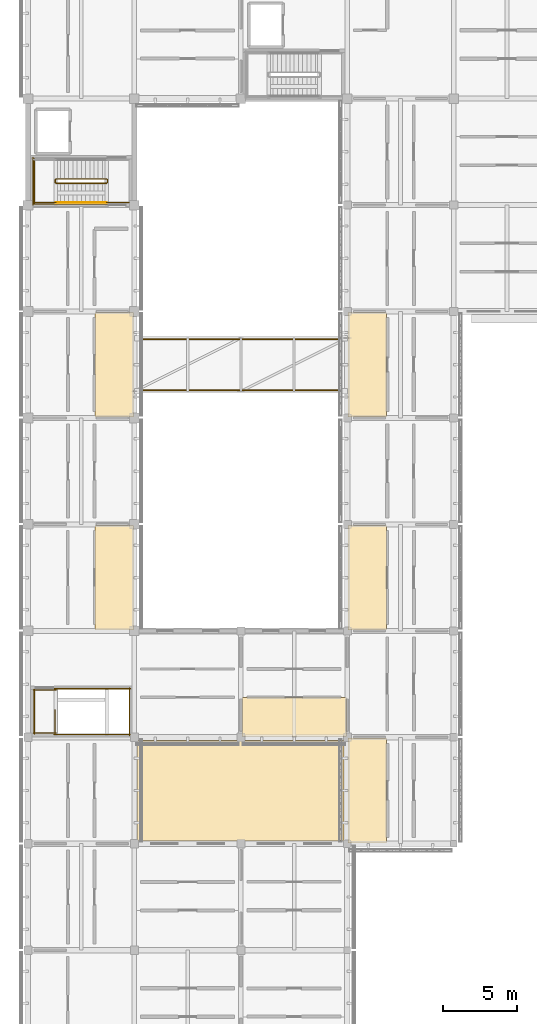
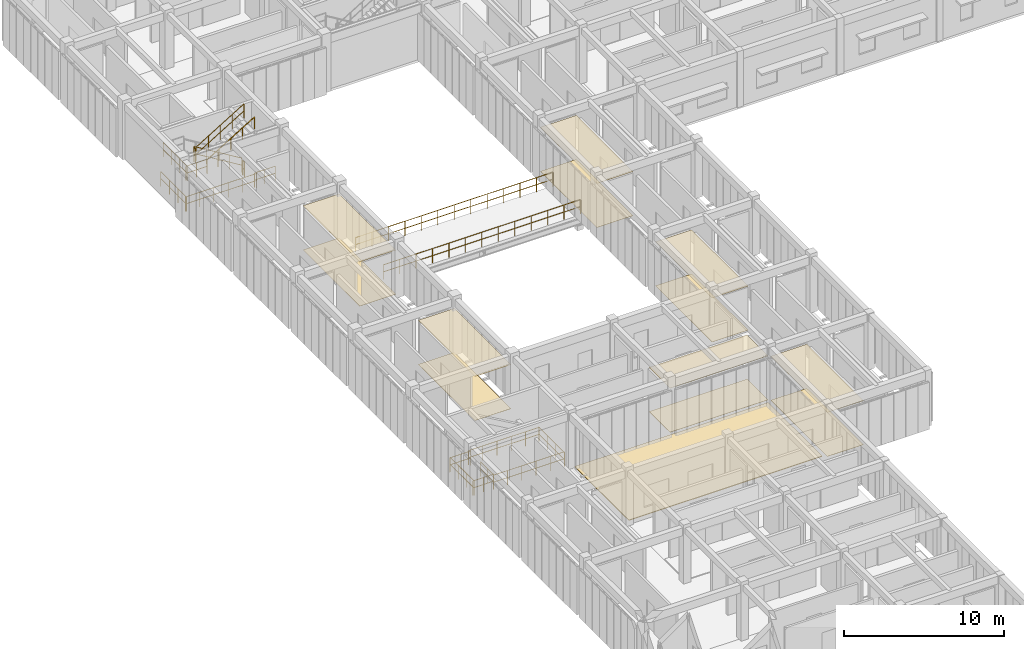
# One storey, part 87 of 91: 19 railings, 13 coverings.
"""IFC4 building model written with IfcOpenShell, lengths in metres."""

from ifc_helpers import new_model, si_unit, direction, frame, origin, origin_2d, place, context, subcontext, project, spatial, polyline, circle, outline, extrude, material, layer, layer_set, type_object, element, save


model = new_model("IFC4")

# Units and contexts
model_context = context("Model", 3, precision=1e-05, world=origin(), true_north=direction((0.0, 1.0)))
body_context = subcontext(model_context, "Body", "Model", "MODEL_VIEW")
ifc_project = project(units=[si_unit("LENGTHUNIT", "METRE"), si_unit("AREAUNIT", "SQUARE_METRE"), si_unit("VOLUMEUNIT", "CUBIC_METRE"), si_unit("PLANEANGLEUNIT", "RADIAN"), si_unit("MASSUNIT", "GRAM", prefix="KILO")], contexts=[model_context])

# Site, building, storey
site_placement = place(None, origin())
site = spatial("IfcSite", under=ifc_project, at=site_placement, CompositionType="ELEMENT")
building_placement = place(site_placement, origin())
building = spatial("IfcBuilding", under=site, at=building_placement, Name="Aldebral Square Health Centre", CompositionType="ELEMENT")
storey_placement = place(building_placement, frame((0.0, 0.0, 9.0)))
storey = spatial("IfcBuildingStorey", under=building, at=storey_placement, Name="L02", CompositionType="ELEMENT", Elevation=9.0)

# Coverings
ifc_material_1 = material(Name="Hygienic acoustic mineral ceiling tile")
ifc_layer_1 = layer(ifc_material_1, 0.02001953125, Name="Hygienic acoustic mineral ceiling tile")
ifc_layer_set_1 = layer_set([ifc_layer_1], Name="Hygienic acoustic mineral ceiling tile")
covering_type_1 = type_object("IfcCoveringType", Name="COV-CLG-AC", PredefinedType="CEILING", material=ifc_layer_set_1)
covering_1_placement = place(storey_placement, frame((0.0, 0.0, 3.360107421875)))
element("IfcCovering", 1, at=covering_1_placement, inside=storey, type_object=covering_type_1, Name="L02 General Consulting Room 1.10E acoustic ceiling", PredefinedType="CEILING", context=body_context, shape_type="SweptSolid", body=[
    extrude(outline(polyline([(4.5400390625, 64.860107421875), (7.139892578125, 64.860107421875), (7.139892578125, 71.93994140625), (4.5400390625, 71.93994140625), (4.5400390625, 64.860107421875)])), origin(), (0.0, 0.0, 1.0), 0.019775390625),
])
covering_2_placement = place(storey_placement, frame((0.0, 0.0, 3.360107421875)))
element("IfcCovering", 2, at=covering_2_placement, inside=storey, type_object=covering_type_1, Name="L02 Adolescent Medicine Clinic 1.12E acoustic ceiling", PredefinedType="CEILING", context=body_context, shape_type="SweptSolid", body=[
    extrude(outline(polyline([(4.5400390625, 79.260009765625), (7.139892578125, 79.260009765625), (7.139892578125, 86.340087890625), (4.5400390625, 86.340087890625), (4.5400390625, 79.260009765625)])), origin(), (0.0, 0.0, 1.0), 0.019775390625),
])
covering_3_placement = place(storey_placement, frame((0.0, 0.0, 3.360107421875)))
element("IfcCovering", 3, at=covering_3_placement, inside=storey, type_object=covering_type_1, Name="L02 Adolescent Medicine Clinic 3.9S acoustic ceiling", PredefinedType="CEILING", context=body_context, shape_type="SweptSolid", body=[
    extrude(outline(polyline([(14.4599609375, 57.659912109375), (21.5400390625, 57.659912109375), (21.5400390625, 60.280029296875), (14.4599609375, 60.280029296875), (14.4599609375, 57.659912109375)])), origin(), (0.0, 0.0, 1.0), 0.019775390625),
])
covering_4_placement = place(storey_placement, frame((0.0, 0.0, 3.360107421875)))
element("IfcCovering", 4, at=covering_4_placement, inside=storey, type_object=covering_type_1, Name="L02 Family Toilet 4.8W acoustic ceiling", PredefinedType="CEILING", context=body_context, shape_type="SweptSolid", body=[
    extrude(outline(polyline([(21.659912109375, 50.4599609375), (24.260009765625, 50.4599609375), (24.260009765625, 57.5400390625), (21.659912109375, 57.5400390625), (21.659912109375, 50.4599609375)])), origin(), (0.0, 0.0, 1.0), 0.019775390625),
])
covering_5_placement = place(storey_placement, frame((0.0, 0.0, 3.360107421875)))
element("IfcCovering", 5, at=covering_5_placement, inside=storey, type_object=covering_type_1, Name="L02 General Consulting Room 4.10W acoustic ceiling", PredefinedType="CEILING", context=body_context, shape_type="SweptSolid", body=[
    extrude(outline(polyline([(21.659912109375, 64.860107421875), (24.260009765625, 64.860107421875), (24.260009765625, 71.93994140625), (21.659912109375, 71.93994140625), (21.659912109375, 64.860107421875)])), origin(), (0.0, 0.0, 1.0), 0.019775390625),
])
covering_6_placement = place(storey_placement, frame((0.0, 0.0, 3.360107421875)))
element("IfcCovering", 6, at=covering_6_placement, inside=storey, type_object=covering_type_1, Name="L02 Adolescent Medicine Clinic 4.12W acoustic ceiling", PredefinedType="CEILING", context=body_context, shape_type="SweptSolid", body=[
    extrude(outline(polyline([(21.659912109375, 79.260009765625), (24.260009765625, 79.260009765625), (24.260009765625, 86.340087890625), (21.659912109375, 86.340087890625), (21.659912109375, 79.260009765625)])), origin(), (0.0, 0.0, 1.0), 0.019775390625),
])
ifc_material_2 = material(Name="Antimicrobial clinical vinyl flooring")
ifc_layer_2 = layer(ifc_material_2, 0.014892578125, Name="Antimicrobial clinical vinyl flooring")
ifc_layer_set_2 = layer_set([ifc_layer_2], Name="Antimicrobial clinical vinyl flooring")
covering_type_2 = type_object("IfcCoveringType", Name="COV-FLR-VN", PredefinedType="FLOORING", material=ifc_layer_set_2)
covering_7_placement = place(storey_placement, origin())
element("IfcCovering", 7, at=covering_7_placement, inside=storey, type_object=covering_type_2, Name="L02 General Consulting Room 1.10E clinical flooring", PredefinedType="FLOORING", context=body_context, shape_type="SweptSolid", body=[
    extrude(outline(polyline([(4.5400390625, 64.860107421875), (7.139892578125, 64.860107421875), (7.139892578125, 71.93994140625), (4.5400390625, 71.93994140625), (4.5400390625, 64.860107421875)])), origin(), (0.0, 0.0, 1.0), 0.014892578125),
])
covering_8_placement = place(storey_placement, origin())
element("IfcCovering", 8, at=covering_8_placement, inside=storey, type_object=covering_type_2, Name="L02 Adolescent Medicine Clinic 1.12E clinical flooring", PredefinedType="FLOORING", context=body_context, shape_type="SweptSolid", body=[
    extrude(outline(polyline([(4.5400390625, 79.260009765625), (7.139892578125, 79.260009765625), (7.139892578125, 86.340087890625), (4.5400390625, 86.340087890625), (4.5400390625, 79.260009765625)])), origin(), (0.0, 0.0, 1.0), 0.014892578125),
])
covering_9_placement = place(storey_placement, origin())
element("IfcCovering", 9, at=covering_9_placement, inside=storey, type_object=covering_type_2, Name="L02 Adolescent Medicine Clinic 3.9S clinical flooring", PredefinedType="FLOORING", context=body_context, shape_type="SweptSolid", body=[
    extrude(outline(polyline([(14.4599609375, 57.659912109375), (21.5400390625, 57.659912109375), (21.5400390625, 60.280029296875), (14.4599609375, 60.280029296875), (14.4599609375, 57.659912109375)])), origin(), (0.0, 0.0, 1.0), 0.014892578125),
])
covering_10_placement = place(storey_placement, origin())
element("IfcCovering", 10, at=covering_10_placement, inside=storey, type_object=covering_type_2, Name="L02 Family Toilet 4.8W clinical flooring", PredefinedType="FLOORING", context=body_context, shape_type="SweptSolid", body=[
    extrude(outline(polyline([(21.659912109375, 50.4599609375), (24.260009765625, 50.4599609375), (24.260009765625, 57.5400390625), (21.659912109375, 57.5400390625), (21.659912109375, 50.4599609375)])), origin(), (0.0, 0.0, 1.0), 0.014892578125),
])
covering_11_placement = place(storey_placement, origin())
element("IfcCovering", 11, at=covering_11_placement, inside=storey, type_object=covering_type_2, Name="L02 General Consulting Room 4.10W clinical flooring", PredefinedType="FLOORING", context=body_context, shape_type="SweptSolid", body=[
    extrude(outline(polyline([(21.659912109375, 64.860107421875), (24.260009765625, 64.860107421875), (24.260009765625, 71.93994140625), (21.659912109375, 71.93994140625), (21.659912109375, 64.860107421875)])), origin(), (0.0, 0.0, 1.0), 0.014892578125),
])
covering_12_placement = place(storey_placement, origin())
element("IfcCovering", 12, at=covering_12_placement, inside=storey, type_object=covering_type_2, Name="L02 Adolescent Medicine Clinic 4.12W clinical flooring", PredefinedType="FLOORING", context=body_context, shape_type="SweptSolid", body=[
    extrude(outline(polyline([(21.659912109375, 79.260009765625), (24.260009765625, 79.260009765625), (24.260009765625, 86.340087890625), (21.659912109375, 86.340087890625), (21.659912109375, 79.260009765625)])), origin(), (0.0, 0.0, 1.0), 0.014892578125),
])
ifc_material_3 = material(Name="Reflective insulated membrane roofing")
ifc_layer_3 = layer(ifc_material_3, 0.050048828125, Name="Reflective insulated membrane roofing")
ifc_layer_set_3 = layer_set([ifc_layer_3], Name="Reflective insulated membrane roofing")
covering_type_3 = type_object("IfcCoveringType", Name="COV-RF-50", PredefinedType="ROOFING", material=ifc_layer_set_3)
covering_13_placement = place(storey_placement, origin())
element("IfcCovering", 13, at=covering_13_placement, inside=storey, type_object=covering_type_3, Name="L01 V4 roof slab 1 insulated roof membrane", PredefinedType="ROOFING", context=body_context, shape_type="SweptSolid", body=[
    extrude(outline(polyline([(21.3798828125, 50.6201171875), (7.419921875, 50.6201171875), (7.419921875, 57.3798828125), (21.3798828125, 57.3798828125), (21.3798828125, 50.6201171875)])), origin(), (0.0, 0.0, 1.0), 0.050048828125),
])

# Railings
ifc_material_4 = material(Name="Cream cantera and steel balustrade", Category="steel")
railing_type_1 = type_object("IfcRailingType", Name="RL-EXT-BAL", PredefinedType="BALUSTRADE", material=ifc_material_4)
railing_1_placement = place(storey_placement, frame((7.280029296875, 81.080078125, 0.0)))
element("IfcRailing", 14, at=railing_1_placement, inside=storey, type_object=railing_type_1, Name="West Light Court Bridge L02 balustrade S", PredefinedType="BALUSTRADE", context=body_context, shape_type="SweptSolid", body=[
    extrude(circle(Radius=0.02392578125, at=origin_2d()), frame((0.0, 0.0, 1.09619140625), z_axis=(1.0, 0.0, 0.0), x_axis=(0.0, 1.0, 0.0)), (0.0, 0.0, 1.0), 14.239990234375),
    extrude(circle(Radius=0.02392578125, at=origin_2d()), frame((0.0, 0.0, 0.56005859375), z_axis=(1.0, 0.0, 0.0), x_axis=(0.0, 1.0, 0.0)), (0.0, 0.0, 1.0), 14.239990234375),
    extrude(circle(Radius=0.02099609375, at=origin_2d()), origin(), (0.0, 0.0, 1.0), 1.072021484375),
    extrude(circle(Radius=0.02099609375, at=origin_2d()), frame((1.186767578125, 0.0, 0.0)), (0.0, 0.0, 1.0), 1.072021484375),
    extrude(circle(Radius=0.02099609375, at=origin_2d()), frame((2.373291015625, 0.0, 0.0)), (0.0, 0.0, 1.0), 1.072021484375),
    extrude(circle(Radius=0.02099609375, at=origin_2d()), frame((3.56005859375, 0.0, 0.0)), (0.0, 0.0, 1.0), 1.072021484375),
    extrude(circle(Radius=0.02099609375, at=origin_2d()), frame((4.74658203125, 0.0, 0.0)), (0.0, 0.0, 1.0), 1.072021484375),
    extrude(circle(Radius=0.02099609375, at=origin_2d()), frame((5.933349609375, 0.0, 0.0)), (0.0, 0.0, 1.0), 1.072021484375),
    extrude(circle(Radius=0.02099609375, at=origin_2d()), frame((7.1201171875, 0.0, 0.0)), (0.0, 0.0, 1.0), 1.072021484375),
    extrude(circle(Radius=0.02099609375, at=origin_2d()), frame((8.306640625, 0.0, 0.0)), (0.0, 0.0, 1.0), 1.072021484375),
    extrude(circle(Radius=0.02099609375, at=origin_2d()), frame((9.493408203125, 0.0, 0.0)), (0.0, 0.0, 1.0), 1.072021484375),
    extrude(circle(Radius=0.02099609375, at=origin_2d()), frame((10.679931640625, 0.0, 0.0)), (0.0, 0.0, 1.0), 1.072021484375),
    extrude(circle(Radius=0.02099609375, at=origin_2d()), frame((11.86669921875, 0.0, 0.0)), (0.0, 0.0, 1.0), 1.072021484375),
    extrude(circle(Radius=0.02099609375, at=origin_2d()), frame((13.05322265625, 0.0, 0.0)), (0.0, 0.0, 1.0), 1.072021484375),
    extrude(circle(Radius=0.02099609375, at=origin_2d()), frame((14.239990234375, 0.0, 0.0)), (0.0, 0.0, 1.0), 1.072021484375),
])
railing_2_placement = place(storey_placement, frame((7.280029296875, 84.52001953125, 0.0)))
element("IfcRailing", 15, at=railing_2_placement, inside=storey, type_object=railing_type_1, Name="West Light Court Bridge L02 balustrade N", PredefinedType="BALUSTRADE", context=body_context, shape_type="SweptSolid", body=[
    extrude(circle(Radius=0.02392578125, at=origin_2d()), frame((0.0, 0.0, 1.09619140625), z_axis=(1.0, 0.0, 0.0), x_axis=(0.0, 1.0, 0.0)), (0.0, 0.0, 1.0), 14.239990234375),
    extrude(circle(Radius=0.02392578125, at=origin_2d()), frame((0.0, 0.0, 0.56005859375), z_axis=(1.0, 0.0, 0.0), x_axis=(0.0, 1.0, 0.0)), (0.0, 0.0, 1.0), 14.239990234375),
    extrude(circle(Radius=0.02099609375, at=origin_2d()), origin(), (0.0, 0.0, 1.0), 1.072021484375),
    extrude(circle(Radius=0.02099609375, at=origin_2d()), frame((1.186767578125, 0.0, 0.0)), (0.0, 0.0, 1.0), 1.072021484375),
    extrude(circle(Radius=0.02099609375, at=origin_2d()), frame((2.373291015625, 0.0, 0.0)), (0.0, 0.0, 1.0), 1.072021484375),
    extrude(circle(Radius=0.02099609375, at=origin_2d()), frame((3.56005859375, 0.0, 0.0)), (0.0, 0.0, 1.0), 1.072021484375),
    extrude(circle(Radius=0.02099609375, at=origin_2d()), frame((4.74658203125, 0.0, 0.0)), (0.0, 0.0, 1.0), 1.072021484375),
    extrude(circle(Radius=0.02099609375, at=origin_2d()), frame((5.933349609375, 0.0, 0.0)), (0.0, 0.0, 1.0), 1.072021484375),
    extrude(circle(Radius=0.02099609375, at=origin_2d()), frame((7.1201171875, 0.0, 0.0)), (0.0, 0.0, 1.0), 1.072021484375),
    extrude(circle(Radius=0.02099609375, at=origin_2d()), frame((8.306640625, 0.0, 0.0)), (0.0, 0.0, 1.0), 1.072021484375),
    extrude(circle(Radius=0.02099609375, at=origin_2d()), frame((9.493408203125, 0.0, 0.0)), (0.0, 0.0, 1.0), 1.072021484375),
    extrude(circle(Radius=0.02099609375, at=origin_2d()), frame((10.679931640625, 0.0, 0.0)), (0.0, 0.0, 1.0), 1.072021484375),
    extrude(circle(Radius=0.02099609375, at=origin_2d()), frame((11.86669921875, 0.0, 0.0)), (0.0, 0.0, 1.0), 1.072021484375),
    extrude(circle(Radius=0.02099609375, at=origin_2d()), frame((13.05322265625, 0.0, 0.0)), (0.0, 0.0, 1.0), 1.072021484375),
    extrude(circle(Radius=0.02099609375, at=origin_2d()), frame((14.239990234375, 0.0, 0.0)), (0.0, 0.0, 1.0), 1.072021484375),
])
ifc_material_5 = material(Name="Painted steel S355JR stair guard", Category="steel")
railing_type_2 = type_object("IfcRailingType", Name="RL-ST-GRD", PredefinedType="GUARDRAIL", material=ifc_material_5)
railing_3_placement = place(storey_placement, frame((5.320068359375, 95.3701171875, 0.173095703125)))
element("IfcRailing", 16, at=railing_3_placement, inside=storey, type_object=railing_type_2, Name="L02 ST-01 stair guard 1", PredefinedType="GUARDRAIL", context=body_context, shape_type="SweptSolid", body=[
    extrude(circle(Radius=0.02392578125, at=origin_2d()), frame((0.0, 0.0, 1.09619140625), z_axis=(-0.854745945586, 0.0, 0.519046595696), x_axis=(0.0, -1.0, 0.0)), (0.0, 0.0, 1.0), 4.00146484375),
    extrude(circle(Radius=0.02392578125, at=origin_2d()), frame((0.0, 0.0, 0.56005859375), z_axis=(-0.854745945586, 0.0, 0.519046595696), x_axis=(0.0, -1.0, 0.0)), (0.0, 0.0, 1.0), 4.00146484375),
    extrude(circle(Radius=0.02099609375, at=origin_2d()), origin(), (0.0, 0.0, 1.0), 1.072021484375),
    extrude(circle(Radius=0.02099609375, at=origin_2d()), frame((-0.85498046875, 0.0, 0.519287109375)), (0.0, 0.0, 1.0), 1.072021484375),
    extrude(circle(Radius=0.02099609375, at=origin_2d()), frame((-1.7099609375, 0.0, 1.03857421875)), (0.0, 0.0, 1.0), 1.072021484375),
    extrude(circle(Radius=0.02099609375, at=origin_2d()), frame((-2.565185546875, 0.0, 1.5576171875)), (0.0, 0.0, 1.0), 1.072021484375),
    extrude(circle(Radius=0.02099609375, at=origin_2d()), frame((-3.420166015625, 0.0, 2.076904296875)), (0.0, 0.0, 1.0), 1.072021484375),
])
railing_4_placement = place(storey_placement, frame((1.85009765625, 95.320068359375, 2.25)))
element("IfcRailing", 17, at=railing_4_placement, inside=storey, type_object=railing_type_2, Name="L02 ST-01 stair guard 2", PredefinedType="GUARDRAIL", context=body_context, shape_type="SweptSolid", body=[
    extrude(circle(Radius=0.02392578125, at=origin_2d()), frame((0.0, 0.0, 1.09619140625), z_axis=(0.0, -1.0, 0.0), x_axis=(1.0, 0.0, 0.0)), (0.0, 0.0, 1.0), 0.199951171875),
    extrude(circle(Radius=0.02392578125, at=origin_2d()), frame((0.0, 0.0, 0.56005859375), z_axis=(0.0, -1.0, 0.0), x_axis=(1.0, 0.0, 0.0)), (0.0, 0.0, 1.0), 0.199951171875),
    extrude(circle(Radius=0.02099609375, at=origin_2d()), origin(), (0.0, 0.0, 1.0), 1.072021484375),
    extrude(circle(Radius=0.02099609375, at=origin_2d()), frame((0.0, -0.199951171875, 0.0)), (0.0, 0.0, 1.0), 1.072021484375),
])
railing_5_placement = place(storey_placement, frame((1.89990234375, 93.77001953125, 2.25)))
element("IfcRailing", 18, at=railing_5_placement, inside=storey, type_object=railing_type_2, Name="L02 ST-01 stair guard 4", PredefinedType="GUARDRAIL", context=body_context, shape_type="SweptSolid", body=[
    extrude(circle(Radius=0.02392578125, at=origin_2d()), frame((0.0, 0.0, 1.09619140625), z_axis=(-1.0, 0.0, 0.0), x_axis=(0.0, -1.0, 0.0)), (0.0, 0.0, 1.0), 1.52001953125),
    extrude(circle(Radius=0.02392578125, at=origin_2d()), frame((0.0, 0.0, 0.56005859375), z_axis=(-1.0, 0.0, 0.0), x_axis=(0.0, -1.0, 0.0)), (0.0, 0.0, 1.0), 1.52001953125),
    extrude(circle(Radius=0.02099609375, at=origin_2d()), origin(), (0.0, 0.0, 1.0), 1.072021484375),
    extrude(circle(Radius=0.02099609375, at=origin_2d()), frame((-0.760009765625, 0.0, 0.0)), (0.0, 0.0, 1.0), 1.072021484375),
    extrude(circle(Radius=0.02099609375, at=origin_2d()), frame((-1.52001953125, 0.0, 0.0)), (0.0, 0.0, 1.0), 1.072021484375),
])
railing_6_placement = place(storey_placement, frame((0.429931640625, 96.719970703125, 2.25)))
element("IfcRailing", 19, at=railing_6_placement, inside=storey, type_object=railing_type_2, Name="L02 ST-01 stair guard 5", PredefinedType="GUARDRAIL", context=body_context, shape_type="SweptSolid", body=[
    extrude(circle(Radius=0.02392578125, at=origin_2d()), frame((0.0, 0.0, 1.09619140625), z_axis=(0.0, -1.0, 0.0), x_axis=(1.0, 0.0, 0.0)), (0.0, 0.0, 1.0), 3.0),
    extrude(circle(Radius=0.02392578125, at=origin_2d()), frame((0.0, 0.0, 0.56005859375), z_axis=(0.0, -1.0, 0.0), x_axis=(1.0, 0.0, 0.0)), (0.0, 0.0, 1.0), 3.0),
    extrude(circle(Radius=0.02099609375, at=origin_2d()), origin(), (0.0, 0.0, 1.0), 1.072021484375),
    extrude(circle(Radius=0.02099609375, at=origin_2d()), frame((0.0, -1.0, 0.0)), (0.0, 0.0, 1.0), 1.072021484375),
    extrude(circle(Radius=0.02099609375, at=origin_2d()), frame((0.0, -2.0, 0.0)), (0.0, 0.0, 1.0), 1.072021484375),
    extrude(circle(Radius=0.02099609375, at=origin_2d()), frame((0.0, -3.0, 0.0)), (0.0, 0.0, 1.0), 1.072021484375),
])
railing_7_placement = place(storey_placement, frame((1.89990234375, 95.070068359375, 2.423095703125)))
element("IfcRailing", 20, at=railing_7_placement, inside=storey, type_object=railing_type_2, Name="L02 ST-01 stair guard 6", PredefinedType="GUARDRAIL", context=body_context, shape_type="SweptSolid", body=[
    extrude(circle(Radius=0.02392578125, at=origin_2d()), frame((0.0, 0.0, 1.09619140625), z_axis=(0.854745945586, 0.0, 0.519046595696), x_axis=(0.0, 1.0, 0.0)), (0.0, 0.0, 1.0), 4.00146484375),
    extrude(circle(Radius=0.02392578125, at=origin_2d()), frame((0.0, 0.0, 0.56005859375), z_axis=(0.854745945586, 0.0, 0.519046595696), x_axis=(0.0, 1.0, 0.0)), (0.0, 0.0, 1.0), 4.00146484375),
    extrude(circle(Radius=0.02099609375, at=origin_2d()), origin(), (0.0, 0.0, 1.0), 1.072021484375),
    extrude(circle(Radius=0.02099609375, at=origin_2d()), frame((0.85498046875, 0.0, 0.519287109375)), (0.0, 0.0, 1.0), 1.072021484375),
    extrude(circle(Radius=0.02099609375, at=origin_2d()), frame((1.7099609375, 0.0, 1.03857421875)), (0.0, 0.0, 1.0), 1.072021484375),
    extrude(circle(Radius=0.02099609375, at=origin_2d()), frame((2.565185546875, 0.0, 1.5576171875)), (0.0, 0.0, 1.0), 1.072021484375),
    extrude(circle(Radius=0.02099609375, at=origin_2d()), frame((3.420166015625, 0.0, 2.076904296875)), (0.0, 0.0, 1.0), 1.072021484375),
])
railing_8_placement = place(storey_placement, frame((5.3701171875, 95.320068359375, 0.0)))
element("IfcRailing", 21, at=railing_8_placement, inside=storey, type_object=railing_type_2, Name="L02 ST-01 stair guard 7", PredefinedType="GUARDRAIL", context=body_context, shape_type="SweptSolid", body=[
    extrude(circle(Radius=0.02392578125, at=origin_2d()), frame((0.0, 0.0, 1.09619140625), z_axis=(0.0, -1.0, 0.0), x_axis=(1.0, 0.0, 0.0)), (0.0, 0.0, 1.0), 0.199951171875),
    extrude(circle(Radius=0.02392578125, at=origin_2d()), frame((0.0, 0.0, 0.56005859375), z_axis=(0.0, -1.0, 0.0), x_axis=(1.0, 0.0, 0.0)), (0.0, 0.0, 1.0), 0.199951171875),
    extrude(circle(Radius=0.02099609375, at=origin_2d()), origin(), (0.0, 0.0, 1.0), 1.072021484375),
    extrude(circle(Radius=0.02099609375, at=origin_2d()), frame((0.0, -0.199951171875, 0.0)), (0.0, 0.0, 1.0), 1.072021484375),
])
railing_9_placement = place(storey_placement, frame((6.820068359375, 93.77001953125, 0.0)))
element("IfcRailing", 22, at=railing_9_placement, inside=storey, type_object=railing_type_2, Name="L02 ST-01 stair guard 9", PredefinedType="GUARDRAIL", context=body_context, shape_type="SweptSolid", body=[
    extrude(circle(Radius=0.02392578125, at=origin_2d()), frame((0.0, 0.0, 1.09619140625), z_axis=(-1.0, 0.0, 0.0), x_axis=(0.0, -1.0, 0.0)), (0.0, 0.0, 1.0), 1.5),
    extrude(circle(Radius=0.02392578125, at=origin_2d()), frame((0.0, 0.0, 0.56005859375), z_axis=(-1.0, 0.0, 0.0), x_axis=(0.0, -1.0, 0.0)), (0.0, 0.0, 1.0), 1.5),
    extrude(circle(Radius=0.02099609375, at=origin_2d()), origin(), (0.0, 0.0, 1.0), 1.072021484375),
    extrude(circle(Radius=0.02099609375, at=origin_2d()), frame((-0.75, 0.0, 0.0)), (0.0, 0.0, 1.0), 1.072021484375),
    extrude(circle(Radius=0.02099609375, at=origin_2d()), frame((-1.5, 0.0, 0.0)), (0.0, 0.0, 1.0), 1.072021484375),
])
railing_10_placement = place(storey_placement, frame((5.419921875, 93.669921875, 0.0)))
element("IfcRailing", 23, at=railing_10_placement, inside=storey, type_object=railing_type_2, Name="L02 ST-01 stair guard 11", PredefinedType="GUARDRAIL", context=body_context, shape_type="SweptSolid", body=[
    extrude(circle(Radius=0.02392578125, at=origin_2d()), frame((0.0, 0.0, 1.09619140625), z_axis=(-1.0, 0.0, 0.0), x_axis=(0.0, -1.0, 0.0)), (0.0, 0.0, 1.0), 5.139892578125),
    extrude(circle(Radius=0.02392578125, at=origin_2d()), frame((0.0, 0.0, 0.56005859375), z_axis=(-1.0, 0.0, 0.0), x_axis=(0.0, -1.0, 0.0)), (0.0, 0.0, 1.0), 5.139892578125),
    extrude(circle(Radius=0.02099609375, at=origin_2d()), origin(), (0.0, 0.0, 1.0), 1.072021484375),
    extrude(circle(Radius=0.02099609375, at=origin_2d()), frame((-1.028076171875, 0.0, 0.0)), (0.0, 0.0, 1.0), 1.072021484375),
    extrude(circle(Radius=0.02099609375, at=origin_2d()), frame((-2.055908203125, 0.0, 0.0)), (0.0, 0.0, 1.0), 1.072021484375),
    extrude(circle(Radius=0.02099609375, at=origin_2d()), frame((-3.083984375, 0.0, 0.0)), (0.0, 0.0, 1.0), 1.072021484375),
    extrude(circle(Radius=0.02099609375, at=origin_2d()), frame((-4.11181640625, 0.0, 0.0)), (0.0, 0.0, 1.0), 1.072021484375),
    extrude(circle(Radius=0.02099609375, at=origin_2d()), frame((-5.139892578125, 0.0, 0.0)), (0.0, 0.0, 1.0), 1.072021484375),
])
railing_11_placement = place(storey_placement, frame((0.330078125, 96.820068359375, 0.0)))
element("IfcRailing", 24, at=railing_11_placement, inside=storey, type_object=railing_type_2, Name="L02 ST-01 stair guard 12", PredefinedType="GUARDRAIL", context=body_context, shape_type="SweptSolid", body=[
    extrude(circle(Radius=0.02392578125, at=origin_2d()), frame((0.0, 0.0, 1.09619140625), z_axis=(0.0, -1.0, 0.0), x_axis=(1.0, 0.0, 0.0)), (0.0, 0.0, 1.0), 3.199951171875),
    extrude(circle(Radius=0.02392578125, at=origin_2d()), frame((0.0, 0.0, 0.56005859375), z_axis=(0.0, -1.0, 0.0), x_axis=(1.0, 0.0, 0.0)), (0.0, 0.0, 1.0), 3.199951171875),
    extrude(circle(Radius=0.02099609375, at=origin_2d()), origin(), (0.0, 0.0, 1.0), 1.072021484375),
    extrude(circle(Radius=0.02099609375, at=origin_2d()), frame((0.0, -1.066650390625, 0.0)), (0.0, 0.0, 1.0), 1.072021484375),
    extrude(circle(Radius=0.02099609375, at=origin_2d()), frame((0.0, -2.13330078125, 0.0)), (0.0, 0.0, 1.0), 1.072021484375),
    extrude(circle(Radius=0.02099609375, at=origin_2d()), frame((0.0, -3.199951171875, 0.0)), (0.0, 0.0, 1.0), 1.072021484375),
])
railing_12_placement = place(storey_placement, frame((1.830078125, 57.840087890625, 0.0)))
element("IfcRailing", 25, at=railing_12_placement, inside=storey, type_object=railing_type_2, Name="L02 ST-11 top well guard 1", PredefinedType="GUARDRAIL", context=body_context, shape_type="SweptSolid", body=[
    extrude(circle(Radius=0.02392578125, at=origin_2d()), frame((0.0, 0.0, 1.09619140625), z_axis=(0.0, 1.0, 0.0), x_axis=(-1.0, 0.0, 0.0)), (0.0, 0.0, 1.0), 1.599853515625),
    extrude(circle(Radius=0.02392578125, at=origin_2d()), frame((0.0, 0.0, 0.56005859375), z_axis=(0.0, 1.0, 0.0), x_axis=(-1.0, 0.0, 0.0)), (0.0, 0.0, 1.0), 1.599853515625),
    extrude(circle(Radius=0.02099609375, at=origin_2d()), origin(), (0.0, 0.0, 1.0), 1.072021484375),
    extrude(circle(Radius=0.02099609375, at=origin_2d()), frame((0.0, 0.7998046875, 0.0)), (0.0, 0.0, 1.0), 1.072021484375),
    extrude(circle(Radius=0.02099609375, at=origin_2d()), frame((0.0, 1.599853515625, 0.0)), (0.0, 0.0, 1.0), 1.072021484375),
])
for number, where, name in (
    (26, (1.780029296875, 57.7900390625, 0.0), "L02 ST-11 top well guard 2"),
    (27, (1.780029296875, 60.889892578125, 0.0), "L02 ST-11 top well guard 3"),
):
    element("IfcRailing", number, at=place(storey_placement, frame(where)), inside=storey, type_object=railing_type_2, Name=name, PredefinedType="GUARDRAIL", context=body_context, shape_type="SweptSolid", body=[
        extrude(circle(Radius=0.02392578125, at=origin_2d()), frame((0.0, 0.0, 1.09619140625), z_axis=(1.0, 0.0, 0.0), x_axis=(0.0, 1.0, 0.0)), (0.0, 0.0, 1.0), 5.139892578125),
        extrude(circle(Radius=0.02392578125, at=origin_2d()), frame((0.0, 0.0, 0.56005859375), z_axis=(1.0, 0.0, 0.0), x_axis=(0.0, 1.0, 0.0)), (0.0, 0.0, 1.0), 5.139892578125),
        extrude(circle(Radius=0.02099609375, at=origin_2d()), origin(), (0.0, 0.0, 1.0), 1.072021484375),
        extrude(circle(Radius=0.02099609375, at=origin_2d()), frame((1.028076171875, 0.0, 0.0)), (0.0, 0.0, 1.0), 1.072021484375),
        extrude(circle(Radius=0.02099609375, at=origin_2d()), frame((2.055908203125, 0.0, 0.0)), (0.0, 0.0, 1.0), 1.072021484375),
        extrude(circle(Radius=0.02099609375, at=origin_2d()), frame((3.083984375, 0.0, 0.0)), (0.0, 0.0, 1.0), 1.072021484375),
        extrude(circle(Radius=0.02099609375, at=origin_2d()), frame((4.11181640625, 0.0, 0.0)), (0.0, 0.0, 1.0), 1.072021484375),
        extrude(circle(Radius=0.02099609375, at=origin_2d()), frame((5.139892578125, 0.0, 0.0)), (0.0, 0.0, 1.0), 1.072021484375),
    ])
railing_13_placement = place(storey_placement, frame((6.8701171875, 57.739990234375, 0.0)))
element("IfcRailing", 28, at=railing_13_placement, inside=storey, type_object=railing_type_2, Name="L02 ST-11 top well guard 4", PredefinedType="GUARDRAIL", context=body_context, shape_type="SweptSolid", body=[
    extrude(circle(Radius=0.02392578125, at=origin_2d()), frame((0.0, 0.0, 1.09619140625), z_axis=(0.0, 1.0, 0.0), x_axis=(-1.0, 0.0, 0.0)), (0.0, 0.0, 1.0), 3.199951171875),
    extrude(circle(Radius=0.02392578125, at=origin_2d()), frame((0.0, 0.0, 0.56005859375), z_axis=(0.0, 1.0, 0.0), x_axis=(-1.0, 0.0, 0.0)), (0.0, 0.0, 1.0), 3.199951171875),
    extrude(circle(Radius=0.02099609375, at=origin_2d()), origin(), (0.0, 0.0, 1.0), 1.072021484375),
    extrude(circle(Radius=0.02099609375, at=origin_2d()), frame((0.0, 1.066650390625, 0.0)), (0.0, 0.0, 1.0), 1.072021484375),
    extrude(circle(Radius=0.02099609375, at=origin_2d()), frame((0.0, 2.13330078125, 0.0)), (0.0, 0.0, 1.0), 1.072021484375),
    extrude(circle(Radius=0.02099609375, at=origin_2d()), frame((0.0, 3.199951171875, 0.0)), (0.0, 0.0, 1.0), 1.072021484375),
])
for number, where, name in (
    (29, (0.3798828125, 57.889892578125, 0.0), "L02 ST-11 top well guard 5"),
    (30, (0.3798828125, 60.7900390625, 0.0), "L02 ST-11 top well guard 6"),
):
    element("IfcRailing", number, at=place(storey_placement, frame(where)), inside=storey, type_object=railing_type_2, Name=name, PredefinedType="GUARDRAIL", context=body_context, shape_type="SweptSolid", body=[
        extrude(circle(Radius=0.02392578125, at=origin_2d()), frame((0.0, 0.0, 1.09619140625), z_axis=(1.0, 0.0, 0.0), x_axis=(0.0, 1.0, 0.0)), (0.0, 0.0, 1.0), 1.5),
        extrude(circle(Radius=0.02392578125, at=origin_2d()), frame((0.0, 0.0, 0.56005859375), z_axis=(1.0, 0.0, 0.0), x_axis=(0.0, 1.0, 0.0)), (0.0, 0.0, 1.0), 1.5),
        extrude(circle(Radius=0.02099609375, at=origin_2d()), origin(), (0.0, 0.0, 1.0), 1.072021484375),
        extrude(circle(Radius=0.02099609375, at=origin_2d()), frame((0.75, 0.0, 0.0)), (0.0, 0.0, 1.0), 1.072021484375),
        extrude(circle(Radius=0.02099609375, at=origin_2d()), frame((1.5, 0.0, 0.0)), (0.0, 0.0, 1.0), 1.072021484375),
    ])
railing_14_placement = place(storey_placement, frame((0.429931640625, 57.840087890625, 0.0)))
element("IfcRailing", 31, at=railing_14_placement, inside=storey, type_object=railing_type_2, Name="L02 ST-11 top well guard 7", PredefinedType="GUARDRAIL", context=body_context, shape_type="SweptSolid", body=[
    extrude(circle(Radius=0.02392578125, at=origin_2d()), frame((0.0, 0.0, 1.09619140625), z_axis=(0.0, 1.0, 0.0), x_axis=(-1.0, 0.0, 0.0)), (0.0, 0.0, 1.0), 3.0),
    extrude(circle(Radius=0.02392578125, at=origin_2d()), frame((0.0, 0.0, 0.56005859375), z_axis=(0.0, 1.0, 0.0), x_axis=(-1.0, 0.0, 0.0)), (0.0, 0.0, 1.0), 3.0),
    extrude(circle(Radius=0.02099609375, at=origin_2d()), origin(), (0.0, 0.0, 1.0), 1.072021484375),
    extrude(circle(Radius=0.02099609375, at=origin_2d()), frame((0.0, 1.0, 0.0)), (0.0, 0.0, 1.0), 1.072021484375),
    extrude(circle(Radius=0.02099609375, at=origin_2d()), frame((0.0, 2.0, 0.0)), (0.0, 0.0, 1.0), 1.072021484375),
    extrude(circle(Radius=0.02099609375, at=origin_2d()), frame((0.0, 3.0, 0.0)), (0.0, 0.0, 1.0), 1.072021484375),
])
ifc_material_6 = material(Name="Brushed stainless steel handrail", Category="steel")
railing_type_3 = type_object("IfcRailingType", Name="RL-ST-HND", PredefinedType="HANDRAIL", material=ifc_material_6)
railing_15_placement = place(storey_placement, frame((1.89990234375, 93.77001953125, 2.423095703125)))
element("IfcRailing", 32, at=railing_15_placement, inside=storey, type_object=railing_type_3, Name="L02 ST-01 stair handrail 2", PredefinedType="HANDRAIL", context=body_context, shape_type="SweptSolid", body=[
    extrude(circle(Radius=0.02392578125, at=origin_2d()), frame((0.0, 0.0, 0.8759765625), z_axis=(0.854745945586, 0.0, 0.519046595696), x_axis=(0.0, 1.0, 0.0)), (0.0, 0.0, 1.0), 4.00146484375),
    extrude(circle(Radius=0.02099609375, at=origin_2d()), origin(), (0.0, 0.0, 1.0), 0.851806640625),
    extrude(circle(Radius=0.02099609375, at=origin_2d()), frame((0.85498046875, 0.0, 0.519287109375)), (0.0, 0.0, 1.0), 0.851806640625),
    extrude(circle(Radius=0.02099609375, at=origin_2d()), frame((1.7099609375, 0.0, 1.03857421875)), (0.0, 0.0, 1.0), 0.851806640625),
    extrude(circle(Radius=0.02099609375, at=origin_2d()), frame((2.565185546875, 0.0, 1.5576171875)), (0.0, 0.0, 1.0), 0.851806640625),
    extrude(circle(Radius=0.02099609375, at=origin_2d()), frame((3.420166015625, 0.0, 2.076904296875)), (0.0, 0.0, 1.0), 0.851806640625),
])

save(model, "model.ifc")
